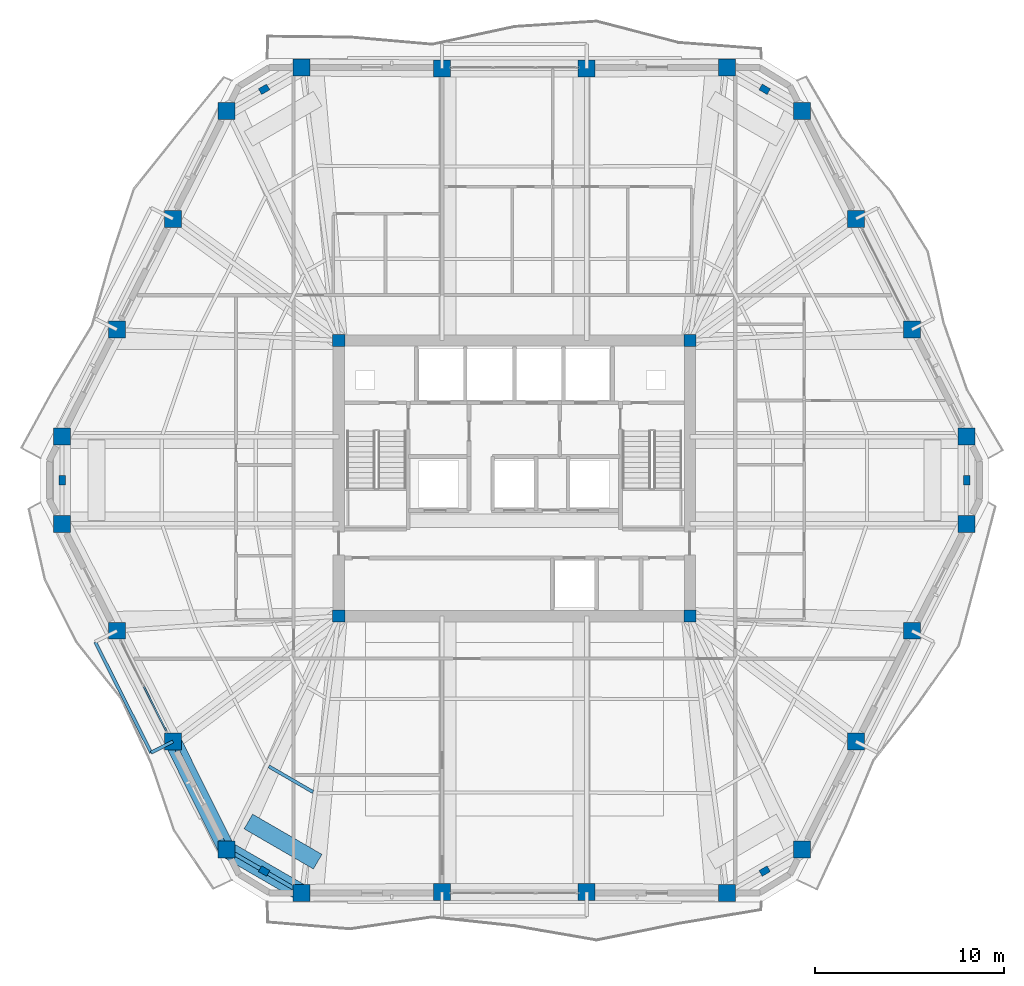
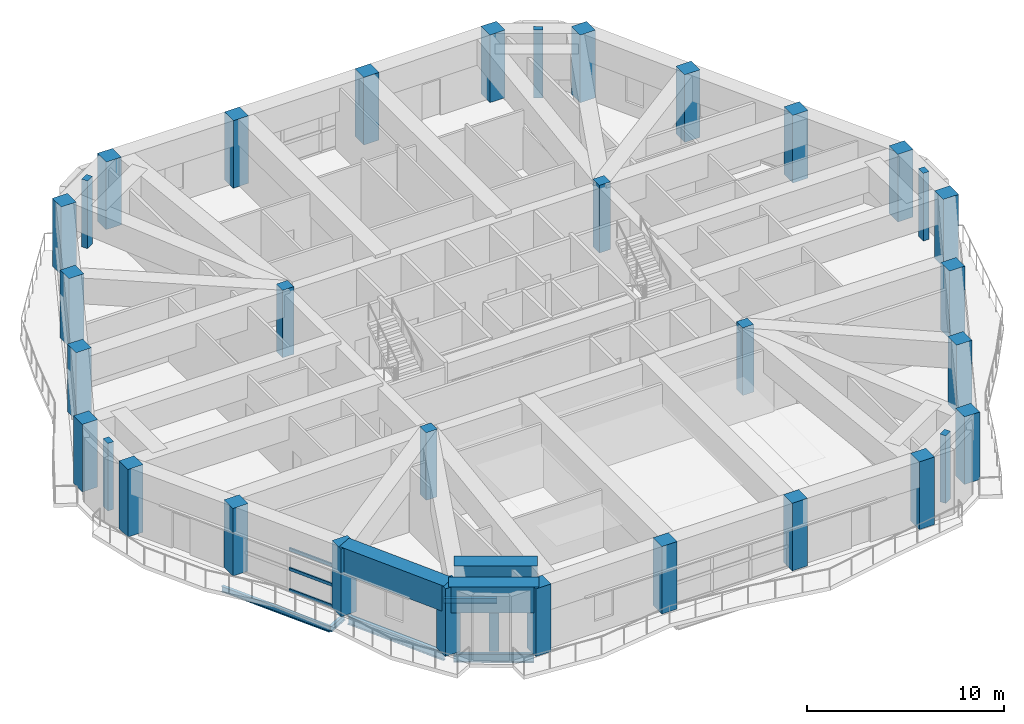
# One storey, part 1 of 20: 34 columns, 8 beams, 3 members, 1 element without a shape of its own.
"""IFC4 building model written with IfcOpenShell, lengths in metres."""

from ifc_helpers import new_model, si_unit, direction, frame, origin, origin_2d, place, context, subcontext, project, spatial, rectangle, hollow_rectangle, i_section, extrude, material, layer, layer_set, material_profile, profile_set, type_object, element, aggregate, save


model = new_model("IFC4")

# Units and contexts
model_context = context("Model", 3, precision=1e-05, world=origin(), true_north=direction((0.0, 1.0)))
body_context = subcontext(model_context, "Body", "Model", "MODEL_VIEW")
ifc_project = project(units=[si_unit("LENGTHUNIT", "METRE"), si_unit("AREAUNIT", "SQUARE_METRE"), si_unit("VOLUMEUNIT", "CUBIC_METRE"), si_unit("PLANEANGLEUNIT", "RADIAN"), si_unit("MASSUNIT", "GRAM", prefix="KILO")], contexts=[model_context])

# Site, building, storey
site_placement = place(None, origin())
site = spatial("IfcSite", under=ifc_project, at=site_placement, CompositionType="ELEMENT")
building_placement = place(site_placement, origin())
building = spatial("IfcBuilding", under=site, at=building_placement, Name="Cinnabar Lancet Tower", CompositionType="ELEMENT")
storey_placement = place(building_placement, frame((0.0, 0.0, 167.699951171875)))
storey = spatial("IfcBuildingStorey", under=building, at=storey_placement, Name="L44", CompositionType="ELEMENT", Elevation=167.699951171875)

# Columns
ifc_material_1 = material(Name="Concrete C60/75", Category="concrete")
ifc_material_profile_1 = material_profile(ifc_material_1, rectangle(XDim=0.64990234375, YDim=0.64990234375, at=origin_2d()), Name="RC-COL 650x650")
ifc_profile_set_1 = profile_set([ifc_material_profile_1], Name="Concrete C60/75")
column_type_1 = type_object("IfcColumnType", Name="STR-COL-CORE-650", PredefinedType="COLUMN", material=ifc_profile_set_1)
for number, where, z_axis, x_axis, name in (
    (1, (23.10009765625, 18.60009765625, 0.0), (0.0, 0.0, 1.0), (1.0, 0.0, 0.0), "L44 Core Corner Column SW"),
    (2, (41.699951171875, 18.60009765625, 0.0), (0.0, 0.0, 1.0), (1.0, 0.0, 0.0), "L44 Core Corner Column SE"),
    (3, (41.699951171875, 33.199951171875, 0.0), (0.0, 0.0, 1.0), (1.0, 0.0, 0.0), "L44 Core Corner Column NE"),
    (4, (23.10009765625, 33.199951171875, 0.0), (0.0, 0.0, 1.0), (1.0, 0.0, 0.0), "L44 Core Corner Column NW"),
):
    element("IfcColumn", number, at=place(storey_placement, frame(where, z_axis=z_axis, x_axis=x_axis)), inside=storey, type_object=column_type_1, Name=name, PredefinedType="COLUMN", context=body_context, shape_type="SweptSolid", body=[
        extrude(rectangle(XDim=0.64990234375, YDim=0.64990234375, at=origin_2d()), origin(), (0.0, 0.0, 1.0), 4.199951171875),
    ])
ifc_material_2 = material(Name="Concrete C60/75", Category="concrete")
ifc_material_profile_2 = material_profile(ifc_material_2, rectangle(XDim=0.5, YDim=0.35009765625, at=origin_2d()), Name="RC-PIL 500x350")
ifc_profile_set_2 = profile_set([ifc_material_profile_2], Name="Concrete C60/75")
column_type_2 = type_object("IfcColumnType", Name="STR-COL-PIL-500", PredefinedType="PILASTER", material=ifc_profile_set_2)
for number, where, z_axis, x_axis, name in (
    (5, (19.14111328125, 5.093017578125, 0.0), (0.0, 0.0, 1.0), (0.865160173452, -0.501495637342, 0.0), "L44 Chamfered Corner Pilaster 1"),
    (6, (45.658935546875, 5.093017578125, 0.0), (0.0, 0.0, 1.0), (0.865160173452, 0.501495637342, 0.0), "L44 Chamfered Corner Pilaster 2"),
    (7, (56.35693359375, 25.800048828125, 0.0), (0.0, 0.0, 1.0), (0.0, 1.0, 0.0), "L44 Chamfered Corner Pilaster 3"),
    (8, (45.658935546875, 46.508056640625, 0.0), (0.0, 0.0, 1.0), (-0.865160173452, 0.501495637342, 0.0), "L44 Chamfered Corner Pilaster 4"),
    (9, (19.14111328125, 46.508056640625, 0.0), (0.0, 0.0, 1.0), (-0.865160173452, -0.501495637342, 0.0), "L44 Chamfered Corner Pilaster 5"),
    (10, (8.443115234375, 25.800048828125, 0.0), (0.0, 0.0, 1.0), (0.0, -1.0, 0.0), "L44 Chamfered Corner Pilaster 6"),
):
    element("IfcColumn", number, at=place(storey_placement, frame(where, z_axis=z_axis, x_axis=x_axis)), inside=storey, type_object=column_type_2, Name=name, PredefinedType="PILASTER", context=body_context, shape_type="SweptSolid", body=[
        extrude(rectangle(XDim=0.5, YDim=0.35009765625, at=origin_2d()), origin(), (0.0, 0.0, 1.0), 4.199951171875),
    ])
ifc_material_3 = material(Name="Concrete C60/75", Category="concrete")
ifc_material_profile_3 = material_profile(ifc_material_3, rectangle(XDim=0.89990234375, YDim=0.89990234375, at=origin_2d()), Name="RC-COL 900x900")
ifc_profile_set_3 = profile_set([ifc_material_profile_3], Name="Concrete C60/75")
column_type_3 = type_object("IfcColumnType", Name="STR-COL-TUBE-900", PredefinedType="COLUMN", material=ifc_profile_set_3)
for number, where, z_axis, x_axis, name in (
    (11, (21.131103515625, 3.93896484375, 0.0), (0.0, 0.0, 1.0), (1.0, 0.0, 0.0), "L44 Perimeter Tube Column 1"),
    (12, (28.568115234375, 3.991943359375, 0.0), (0.0, 0.0, 1.0), (1.0, 0.0, 0.0), "L44 Perimeter Tube Column 2"),
    (13, (36.23193359375, 3.991943359375, 0.0), (0.0, 0.0, 1.0), (1.0, 0.0, 0.0), "L44 Perimeter Tube Column 3"),
    (14, (43.6689453125, 3.93896484375, 0.0), (0.0, 0.0, 1.0), (1.0, 0.0, 0.0), "L44 Perimeter Tube Column 4"),
    (15, (47.64892578125, 6.24609375, 0.0), (0.0, 0.0, 1.0), (1.0, 0.0, 0.0), "L44 Perimeter Tube Column 5"),
    (16, (50.489013671875, 11.955078125, 0.0), (0.0, 0.0, 1.0), (1.0, 0.0, 0.0), "L44 Perimeter Tube Column 6"),
    (17, (53.451904296875, 17.823974609375, 0.0), (0.0, 0.0, 1.0), (1.0, 0.0, 0.0), "L44 Perimeter Tube Column 7"),
    (18, (56.35693359375, 23.490966796875, 0.0), (0.0, 0.0, 1.0), (1.0, 0.0, 0.0), "L44 Perimeter Tube Column 8"),
    (19, (56.35693359375, 28.10888671875, 0.0), (0.0, 0.0, 1.0), (1.0, 0.0, 0.0), "L44 Perimeter Tube Column 9"),
    (20, (53.451904296875, 33.77587890625, 0.0), (0.0, 0.0, 1.0), (1.0, 0.0, 0.0), "L44 Perimeter Tube Column 10"),
    (21, (50.489013671875, 39.64501953125, 0.0), (0.0, 0.0, 1.0), (1.0, 0.0, 0.0), "L44 Perimeter Tube Column 11"),
    (22, (47.64892578125, 45.35400390625, 0.0), (0.0, 0.0, 1.0), (1.0, 0.0, 0.0), "L44 Perimeter Tube Column 12"),
    (23, (43.6689453125, 47.660888671875, 0.0), (0.0, 0.0, 1.0), (1.0, 0.0, 0.0), "L44 Perimeter Tube Column 13"),
    (24, (36.23193359375, 47.60791015625, 0.0), (0.0, 0.0, 1.0), (1.0, 0.0, 0.0), "L44 Perimeter Tube Column 14"),
    (25, (28.568115234375, 47.60791015625, 0.0), (0.0, 0.0, 1.0), (1.0, 0.0, 0.0), "L44 Perimeter Tube Column 15"),
    (26, (21.131103515625, 47.660888671875, 0.0), (0.0, 0.0, 1.0), (1.0, 0.0, 0.0), "L44 Perimeter Tube Column 16"),
    (27, (17.15087890625, 45.35400390625, 0.0), (0.0, 0.0, 1.0), (1.0, 0.0, 0.0), "L44 Perimeter Tube Column 17"),
    (28, (14.31103515625, 39.64501953125, 0.0), (0.0, 0.0, 1.0), (1.0, 0.0, 0.0), "L44 Perimeter Tube Column 18"),
    (29, (11.347900390625, 33.77587890625, 0.0), (0.0, 0.0, 1.0), (1.0, 0.0, 0.0), "L44 Perimeter Tube Column 19"),
    (30, (8.443115234375, 28.10888671875, 0.0), (0.0, 0.0, 1.0), (1.0, 0.0, 0.0), "L44 Perimeter Tube Column 20"),
    (31, (8.443115234375, 23.490966796875, 0.0), (0.0, 0.0, 1.0), (1.0, 0.0, 0.0), "L44 Perimeter Tube Column 21"),
    (32, (11.347900390625, 17.823974609375, 0.0), (0.0, 0.0, 1.0), (1.0, 0.0, 0.0), "L44 Perimeter Tube Column 22"),
    (33, (14.31103515625, 11.955078125, 0.0), (0.0, 0.0, 1.0), (1.0, 0.0, 0.0), "L44 Perimeter Tube Column 23"),
    (34, (17.15087890625, 6.24609375, 0.0), (0.0, 0.0, 1.0), (1.0, 0.0, 0.0), "L44 Perimeter Tube Column 24"),
):
    element("IfcColumn", number, at=place(storey_placement, frame(where, z_axis=z_axis, x_axis=x_axis)), inside=storey, type_object=column_type_3, Name=name, PredefinedType="COLUMN", context=body_context, shape_type="SweptSolid", body=[
        extrude(rectangle(XDim=0.89990234375, YDim=0.89990234375, at=origin_2d()), origin(), (0.0, 0.0, 1.0), 4.199951171875),
    ])

# Curtain wall, members
ifc_material_4 = material(Name="Thermally broken bronze-anodized aluminium and low-E glass", Category="aluminium")
ifc_layer = layer(ifc_material_4, 0.179931640625)
ifc_layer_set = layer_set([ifc_layer], Name="Thermally broken bronze-anodized aluminium and low-E glass")
curtain_wall_type = type_object("IfcCurtainWallType", Name="ENV-CW-SYS-03", PredefinedType="NOTDEFINED", material=ifc_layer_set)
curtain_wall_placement = place(storey_placement, origin())
curtain_wall = element("IfcCurtainWall", 35, at=curtain_wall_placement, inside=storey, type_object=curtain_wall_type, Name="L44 Face 6 Feature Curtain Wall", PredefinedType="NOTDEFINED")
ifc_material_5 = material(Name="Anodized architectural aluminium 6063-T6", Category="aluminium")
ifc_material_profile_4 = material_profile(ifc_material_5, hollow_rectangle(XDim=0.10009765625, YDim=0.199951171875, WallThickness=0.008056640625, InnerFilletRadius=0.00390625, OuterFilletRadius=0.011962890625, at=origin_2d()), Name="RHS 200x100x8")
ifc_profile_set_4 = profile_set([ifc_material_profile_4], Name="Anodized architectural aluminium 6063-T6")
member_type = type_object("IfcMemberType", Name="ENV-CW-TRN-140", PredefinedType="USERDEFINED", material=ifc_profile_set_4)
member_1_placement = place(storey_placement, frame((12.774658203125, 14.857666015625, 0.030029296875), z_axis=(0.451392064398, -0.892325727635, 0.0), x_axis=(0.892325727635, 0.451392064398, 0.0)))
member_1 = element("IfcMember", 36, at=member_1_placement, type_object=member_type, Name="CW-03 transom 2.1", ObjectType="TRANSOM", PredefinedType="USERDEFINED", context=body_context, shape_type="SweptSolid", body=[
    extrude(hollow_rectangle(XDim=0.10009765625, YDim=0.199951171875, WallThickness=0.008056640625, InnerFilletRadius=0.00390625, OuterFilletRadius=0.011962890625, at=origin_2d()), origin(), (0.0, 0.0, 1.0), 2.614501953125),
])
member_2_placement = place(storey_placement, frame((12.774658203125, 14.857666015625, 1.34716796875), z_axis=(0.451392064398, -0.892325727635, 0.0), x_axis=(0.892325727635, 0.451392064398, 0.0)))
member_2 = element("IfcMember", 37, at=member_2_placement, type_object=member_type, Name="CW-03 transom 2.2", ObjectType="TRANSOM", PredefinedType="USERDEFINED", context=body_context, shape_type="SweptSolid", body=[
    extrude(hollow_rectangle(XDim=0.10009765625, YDim=0.199951171875, WallThickness=0.008056640625, InnerFilletRadius=0.00390625, OuterFilletRadius=0.011962890625, at=origin_2d()), origin(), (0.0, 0.0, 1.0), 2.614501953125),
])
member_3_placement = place(storey_placement, frame((12.774658203125, 14.857666015625, 2.56005859375), z_axis=(0.451392064398, -0.892325727635, 0.0), x_axis=(0.892325727635, 0.451392064398, 0.0)))
member_3 = element("IfcMember", 38, at=member_3_placement, type_object=member_type, Name="CW-03 transom 2.3", ObjectType="TRANSOM", PredefinedType="USERDEFINED", context=body_context, shape_type="SweptSolid", body=[
    extrude(hollow_rectangle(XDim=0.10009765625, YDim=0.199951171875, WallThickness=0.008056640625, InnerFilletRadius=0.00390625, OuterFilletRadius=0.011962890625, at=origin_2d()), origin(), (0.0, 0.0, 1.0), 2.614501953125),
])
aggregate(curtain_wall, [member_1, member_2, member_3])

# Beams
ifc_material_6 = material(Name="Concrete C70/85", Category="concrete")
ifc_material_profile_5 = material_profile(ifc_material_6, rectangle(XDim=0.89990234375, YDim=1.60009765625, at=origin_2d()), Name="RC-BG 900x1600")
ifc_profile_set_5 = profile_set([ifc_material_profile_5], Name="Concrete C70/85")
beam_type_1 = type_object("IfcBeamType", Name="STR-BM-BG-1600", PredefinedType="BEAM", material=ifc_profile_set_5)
beam_1_placement = place(storey_placement, frame((14.31103515625, 11.955078125, 3.400146484375), z_axis=(0.445374791183, -0.895344232895, 0.0), x_axis=(0.895344232895, 0.445374791183, 0.0)))
element("IfcBeam", 39, at=beam_1_placement, inside=storey, type_object=beam_type_1, Name="L45 Setback Outer Ring Girder 23", PredefinedType="BEAM", context=body_context, shape_type="SweptSolid", body=[
    extrude(rectangle(XDim=0.89990234375, YDim=1.60009765625, at=origin_2d()), origin(), (0.0, 0.0, 1.0), 6.376220703125),
])
beam_2_placement = place(storey_placement, frame((17.15087890625, 6.24609375, 3.400146484375), z_axis=(0.86516336001, -0.50149013998, 0.0), x_axis=(0.50149013998, 0.86516336001, 0.0)))
element("IfcBeam", 40, at=beam_2_placement, inside=storey, type_object=beam_type_1, Name="L45 Setback Outer Ring Girder 24", PredefinedType="BEAM", context=body_context, shape_type="SweptSolid", body=[
    extrude(rectangle(XDim=0.89990234375, YDim=1.60009765625, at=origin_2d()), origin(), (0.0, 0.0, 1.0), 4.6005859375),
])
beam_3_placement = place(storey_placement, frame((18.304931640625, 7.718017578125, 3.400146484375), z_axis=(0.865241216859, -0.501355798459, 0.0), x_axis=(0.501355798459, 0.865241216859, 0.0)))
element("IfcBeam", 41, at=beam_3_placement, inside=storey, type_object=beam_type_1, Name="L45 Setback Pilaster Transfer Chord 1", PredefinedType="BEAM", context=body_context, shape_type="SweptSolid", body=[
    extrude(rectangle(XDim=0.89990234375, YDim=1.60009765625, at=origin_2d()), origin(), (0.0, 0.0, 1.0), 4.246337890625),
])
ifc_material_7 = material(Name="Structural steel S355", Category="steel")
ifc_material_profile_6 = material_profile(ifc_material_7, i_section(OverallWidth=0.17138671875, OverallDepth=0.35498046875, WebThickness=0.00732421875, FlangeThickness=0.011474609375, FilletRadius=0.01025390625, at=origin_2d()), Name="UKB 356x171x51")
ifc_profile_set_6 = profile_set([ifc_material_profile_6], Name="Structural steel S355")
beam_type_2 = type_object("IfcBeamType", Name="STR-BM-JST-356", PredefinedType="JOIST", material=ifc_profile_set_6)
beam_4_placement = place(storey_placement, frame((19.39208984375, 10.635986328125, -0.387939453125), z_axis=(0.865150214692, -0.501512817403, 0.0), x_axis=(0.501512817403, 0.865150214692, 0.0)))
element("IfcBeam", 42, at=beam_4_placement, inside=storey, type_object=beam_type_2, Name="L44 Secondary Floor Joist 7", PredefinedType="JOIST", context=body_context, shape_type="SweptSolid", body=[
    extrude(i_section(OverallWidth=0.17138671875, OverallDepth=0.35498046875, WebThickness=0.00732421875, FlangeThickness=0.011474609375, FilletRadius=0.01025390625, at=origin_2d()), origin(), (0.0, 0.0, 1.0), 2.70556640625),
])
ifc_material_8 = material(Name="Structural steel S355", Category="steel")
ifc_material_profile_7 = material_profile(ifc_material_8, i_section(OverallWidth=0.209228515625, OverallDepth=0.533203125, WebThickness=0.010009765625, FlangeThickness=0.015625, FilletRadius=0.0126953125, at=origin_2d()), Name="UKB 533x210x92")
ifc_profile_set_7 = profile_set([ifc_material_profile_7], Name="Structural steel S355")
beam_type_3 = type_object("IfcBeamType", Name="STR-BM-SPN-533", PredefinedType="SPANDREL", material=ifc_profile_set_7)
beam_5_placement = place(storey_placement, frame((14.422119140625, 11.73095703125, -0.47705078125), z_axis=(0.445501068635, -0.89528140707, 0.0), x_axis=(0.89528140707, 0.445501068635, 0.0)))
element("IfcBeam", 43, at=beam_5_placement, inside=storey, type_object=beam_type_3, Name="L44 Perimeter Spandrel 23", PredefinedType="SPANDREL", context=body_context, shape_type="SweptSolid", body=[
    extrude(i_section(OverallWidth=0.209228515625, OverallDepth=0.533203125, WebThickness=0.010009765625, FlangeThickness=0.015625, FilletRadius=0.0126953125, at=origin_2d()), origin(), (0.0, 0.0, 1.0), 5.87646484375),
])
beam_6_placement = place(storey_placement, frame((17.366943359375, 6.12109375, -0.47705078125), z_axis=(0.865112299906, -0.501578217781, 0.0), x_axis=(0.501578217781, 0.865112299906, 0.0)))
element("IfcBeam", 44, at=beam_6_placement, inside=storey, type_object=beam_type_3, Name="L44 Perimeter Spandrel 24", PredefinedType="SPANDREL", context=body_context, shape_type="SweptSolid", body=[
    extrude(i_section(OverallWidth=0.209228515625, OverallDepth=0.533203125, WebThickness=0.010009765625, FlangeThickness=0.015625, FilletRadius=0.0126953125, at=origin_2d()), origin(), (0.0, 0.0, 1.0), 4.101318359375),
])
ifc_material_9 = material(Name="Structural steel S355", Category="steel")
ifc_material_profile_8 = material_profile(ifc_material_9, i_section(OverallWidth=0.17138671875, OverallDepth=0.35498046875, WebThickness=0.00732421875, FlangeThickness=0.011474609375, FilletRadius=0.01025390625, at=origin_2d()), Name="UKB 356x171x51")
ifc_profile_set_8 = profile_set([ifc_material_profile_8], Name="Structural steel S355")
beam_type_4 = type_object("IfcBeamType", Name="STR-BM-WAV-OUT", PredefinedType="BEAM", material=ifc_profile_set_8)
beam_7_placement = place(storey_placement, frame((14.31103515625, 11.955078125, -0.41796875), z_axis=(-0.892238560088, -0.451564338597, 0.0), x_axis=(0.451564338597, -0.892238560088, 0.0)))
element("IfcBeam", 45, at=beam_7_placement, inside=storey, type_object=beam_type_4, Name="L44 Face 6 Balcony Outlooker B", PredefinedType="BEAM", context=body_context, shape_type="SweptSolid", body=[
    extrude(i_section(OverallWidth=0.17138671875, OverallDepth=0.35498046875, WebThickness=0.00732421875, FlangeThickness=0.011474609375, FilletRadius=0.01025390625, at=origin_2d()), origin(), (0.0, 0.0, 1.0), 1.30029296875),
])
ifc_material_10 = material(Name="Structural steel S355", Category="steel")
ifc_material_profile_9 = material_profile(ifc_material_10, i_section(OverallWidth=0.17138671875, OverallDepth=0.35498046875, WebThickness=0.00732421875, FlangeThickness=0.011474609375, FilletRadius=0.01025390625, at=origin_2d()), Name="UKB 356x171x51")
ifc_profile_set_9 = profile_set([ifc_material_profile_9], Name="Structural steel S355")
beam_type_5 = type_object("IfcBeamType", Name="STR-BM-WAV-TRIM", PredefinedType="SPANDREL", material=ifc_profile_set_9)
beam_8_placement = place(storey_placement, frame((10.18798828125, 17.237060546875, -0.41796875), z_axis=(0.450656296771, -0.892697542385, 0.0), x_axis=(0.892697542385, 0.450656296771, 0.0)))
element("IfcBeam", 46, at=beam_8_placement, inside=storey, type_object=beam_type_5, Name="L44 Face 6 Balcony Edge Trimmer", PredefinedType="SPANDREL", context=body_context, shape_type="SweptSolid", body=[
    extrude(i_section(OverallWidth=0.17138671875, OverallDepth=0.35498046875, WebThickness=0.00732421875, FlangeThickness=0.011474609375, FilletRadius=0.01025390625, at=origin_2d()), origin(), (0.0, 0.0, 1.0), 6.57470703125),
])

save(model, "model.ifc")
